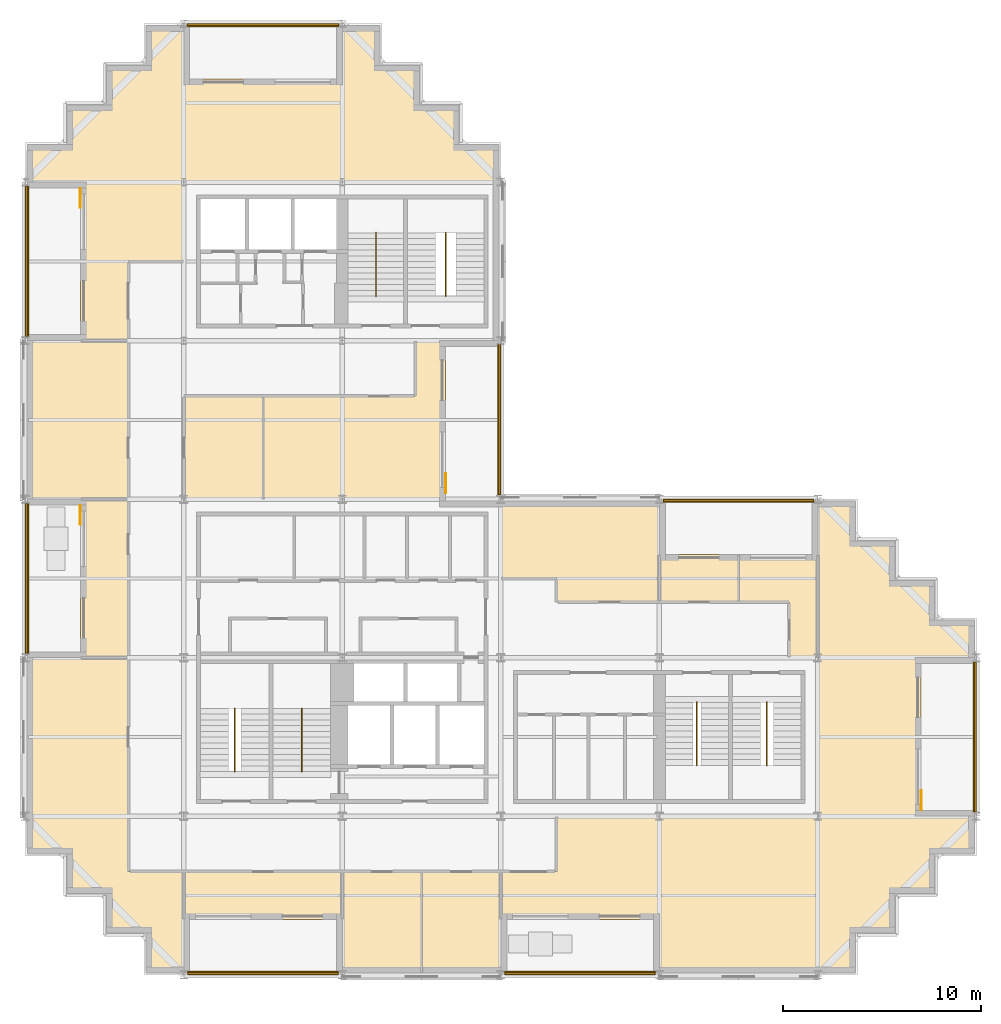
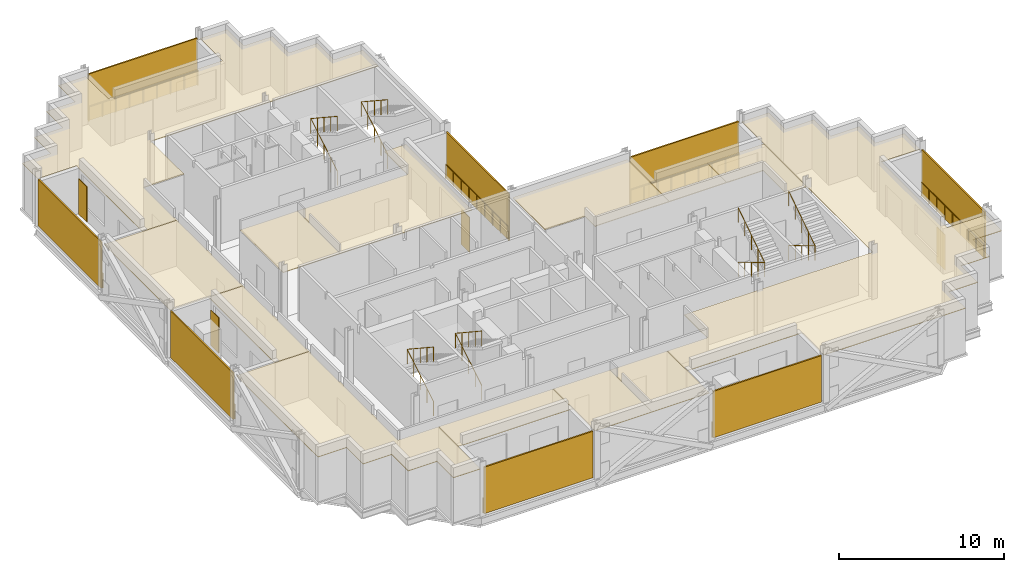
# One storey, part 10 of 11: 14 railings, 13 coverings, 12 shading devices.
"""IFC4 building model written with IfcOpenShell, lengths in metres."""

from ifc_helpers import new_model, si_unit, direction, frame, origin, origin_2d, place, context, subcontext, project, spatial, polyline, rectangle, circle, outline, extrude, material, layer, layer_set, type_object, element, save


model = new_model("IFC4")

# Units and contexts
model_context = context("Model", 3, precision=1e-05, world=origin(), true_north=direction((0.0, 1.0)))
body_context = subcontext(model_context, "Body", "Model", "MODEL_VIEW")
ifc_project = project(units=[si_unit("LENGTHUNIT", "METRE"), si_unit("AREAUNIT", "SQUARE_METRE"), si_unit("VOLUMEUNIT", "CUBIC_METRE"), si_unit("PLANEANGLEUNIT", "RADIAN"), si_unit("MASSUNIT", "GRAM", prefix="KILO")], contexts=[model_context])

# Site, building, storey
site_placement = place(None, origin())
site = spatial("IfcSite", under=ifc_project, at=site_placement, CompositionType="ELEMENT")
building_placement = place(site_placement, origin())
building = spatial("IfcBuilding", under=site, at=building_placement, Name="Immortelle Media Tower", CompositionType="ELEMENT")
storey_placement = place(building_placement, frame((0.0, 0.0, 157.800048828125)))
storey = spatial("IfcBuildingStorey", under=building, at=storey_placement, Name="L32", CompositionType="ELEMENT", Elevation=157.800048828125)

# Railings
ifc_material_1 = material(Name="Powder-coated aluminium fretwork panel, laminated glass backing", Category="aluminium")
railing_type_1 = type_object("IfcRailingType", Name="Fretwork balustrade 1100", PredefinedType="BALUSTRADE", material=ifc_material_1)
railing_1_placement = place(storey_placement, frame((8.202880859375, 0.139892578125, 0.0)))
element("IfcRailing", 1, at=railing_1_placement, inside=storey, type_object=railing_type_1, Name="Fretwork balustrade L32 S0", PredefinedType="BALUSTRADE", context=body_context, shape_type="SweptSolid", body=[
    extrude(circle(Radius=0.02490234375, at=origin_2d()), frame((0.0, 0.0, 1.0751953125), z_axis=(1.0, 0.0, 0.0), x_axis=(0.0, 1.0, 0.0)), (0.0, 0.0, 1.0), 7.591552734375),
    extrude(circle(Radius=0.02001953125, at=origin_2d()), origin(), (0.0, 0.0, 1.0), 1.050048828125),
    extrude(circle(Radius=0.02001953125, at=origin_2d()), frame((0.948974609375, 0.0, 0.0)), (0.0, 0.0, 1.0), 1.050048828125),
    extrude(circle(Radius=0.02001953125, at=origin_2d()), frame((1.89794921875, 0.0, 0.0)), (0.0, 0.0, 1.0), 1.050048828125),
    extrude(circle(Radius=0.02001953125, at=origin_2d()), frame((2.846923828125, 0.0, 0.0)), (0.0, 0.0, 1.0), 1.050048828125),
    extrude(circle(Radius=0.02001953125, at=origin_2d()), frame((3.7958984375, 0.0, 0.0)), (0.0, 0.0, 1.0), 1.050048828125),
    extrude(circle(Radius=0.02001953125, at=origin_2d()), frame((4.74462890625, 0.0, 0.0)), (0.0, 0.0, 1.0), 1.050048828125),
    extrude(circle(Radius=0.02001953125, at=origin_2d()), frame((5.693603515625, 0.0, 0.0)), (0.0, 0.0, 1.0), 1.050048828125),
    extrude(circle(Radius=0.02001953125, at=origin_2d()), frame((6.642578125, 0.0, 0.0)), (0.0, 0.0, 1.0), 1.050048828125),
    extrude(circle(Radius=0.02001953125, at=origin_2d()), frame((7.591552734375, 0.0, 0.0)), (0.0, 0.0, 1.0), 1.050048828125),
])
railing_2_placement = place(storey_placement, frame((24.20556640625, 0.139892578125, 0.0)))
element("IfcRailing", 2, at=railing_2_placement, inside=storey, type_object=railing_type_1, Name="Fretwork balustrade L32 S2", PredefinedType="BALUSTRADE", context=body_context, shape_type="SweptSolid", body=[
    extrude(circle(Radius=0.02490234375, at=origin_2d()), frame((0.0, 0.0, 1.0751953125), z_axis=(1.0, 0.0, 0.0), x_axis=(0.0, 1.0, 0.0)), (0.0, 0.0, 1.0), 7.5888671875),
    extrude(circle(Radius=0.02001953125, at=origin_2d()), origin(), (0.0, 0.0, 1.0), 1.050048828125),
    extrude(circle(Radius=0.02001953125, at=origin_2d()), frame((0.94873046875, 0.0, 0.0)), (0.0, 0.0, 1.0), 1.050048828125),
    extrude(circle(Radius=0.02001953125, at=origin_2d()), frame((1.897216796875, 0.0, 0.0)), (0.0, 0.0, 1.0), 1.050048828125),
    extrude(circle(Radius=0.02001953125, at=origin_2d()), frame((2.845703125, 0.0, 0.0)), (0.0, 0.0, 1.0), 1.050048828125),
    extrude(circle(Radius=0.02001953125, at=origin_2d()), frame((3.79443359375, 0.0, 0.0)), (0.0, 0.0, 1.0), 1.050048828125),
    extrude(circle(Radius=0.02001953125, at=origin_2d()), frame((4.7431640625, 0.0, 0.0)), (0.0, 0.0, 1.0), 1.050048828125),
    extrude(circle(Radius=0.02001953125, at=origin_2d()), frame((5.691650390625, 0.0, 0.0)), (0.0, 0.0, 1.0), 1.050048828125),
    extrude(circle(Radius=0.02001953125, at=origin_2d()), frame((6.64013671875, 0.0, 0.0)), (0.0, 0.0, 1.0), 1.050048828125),
    extrude(circle(Radius=0.02001953125, at=origin_2d()), frame((7.5888671875, 0.0, 0.0)), (0.0, 0.0, 1.0), 1.050048828125),
])
railing_3_placement = place(storey_placement, frame((47.860107421875, 8.20849609375, 0.0)))
element("IfcRailing", 3, at=railing_3_placement, inside=storey, type_object=railing_type_1, Name="Fretwork balustrade L32 E0", PredefinedType="BALUSTRADE", context=body_context, shape_type="SweptSolid", body=[
    extrude(circle(Radius=0.02490234375, at=origin_2d()), frame((0.0, 0.0, 1.0751953125), z_axis=(0.0, 1.0, 0.0), x_axis=(-1.0, 0.0, 0.0)), (0.0, 0.0, 1.0), 7.5830078125),
    extrude(circle(Radius=0.02001953125, at=origin_2d()), origin(), (0.0, 0.0, 1.0), 1.050048828125),
    extrude(circle(Radius=0.02001953125, at=origin_2d()), frame((0.0, 0.94775390625, 0.0)), (0.0, 0.0, 1.0), 1.050048828125),
    extrude(circle(Radius=0.02001953125, at=origin_2d()), frame((0.0, 1.895751953125, 0.0)), (0.0, 0.0, 1.0), 1.050048828125),
    extrude(circle(Radius=0.02001953125, at=origin_2d()), frame((0.0, 2.84375, 0.0)), (0.0, 0.0, 1.0), 1.050048828125),
    extrude(circle(Radius=0.02001953125, at=origin_2d()), frame((0.0, 3.79150390625, 0.0)), (0.0, 0.0, 1.0), 1.050048828125),
    extrude(circle(Radius=0.02001953125, at=origin_2d()), frame((0.0, 4.7392578125, 0.0)), (0.0, 0.0, 1.0), 1.050048828125),
    extrude(circle(Radius=0.02001953125, at=origin_2d()), frame((0.0, 5.687255859375, 0.0)), (0.0, 0.0, 1.0), 1.050048828125),
    extrude(circle(Radius=0.02001953125, at=origin_2d()), frame((0.0, 6.63525390625, 0.0)), (0.0, 0.0, 1.0), 1.050048828125),
    extrude(circle(Radius=0.02001953125, at=origin_2d()), frame((0.0, 7.5830078125, 0.0)), (0.0, 0.0, 1.0), 1.050048828125),
])
railing_4_placement = place(storey_placement, frame((39.797119140625, 23.860107421875, 0.0)))
element("IfcRailing", 4, at=railing_4_placement, inside=storey, type_object=railing_type_1, Name="Fretwork balustrade L32 N0", PredefinedType="BALUSTRADE", context=body_context, shape_type="SweptSolid", body=[
    extrude(circle(Radius=0.02490234375, at=origin_2d()), frame((0.0, 0.0, 1.0751953125), z_axis=(-1.0, 0.0, 0.0), x_axis=(0.0, -1.0, 0.0)), (0.0, 0.0, 1.0), 7.591552734375),
    extrude(circle(Radius=0.02001953125, at=origin_2d()), origin(), (0.0, 0.0, 1.0), 1.050048828125),
    extrude(circle(Radius=0.02001953125, at=origin_2d()), frame((-0.948974609375, 0.0, 0.0)), (0.0, 0.0, 1.0), 1.050048828125),
    extrude(circle(Radius=0.02001953125, at=origin_2d()), frame((-1.89794921875, 0.0, 0.0)), (0.0, 0.0, 1.0), 1.050048828125),
    extrude(circle(Radius=0.02001953125, at=origin_2d()), frame((-2.846923828125, 0.0, 0.0)), (0.0, 0.0, 1.0), 1.050048828125),
    extrude(circle(Radius=0.02001953125, at=origin_2d()), frame((-3.7958984375, 0.0, 0.0)), (0.0, 0.0, 1.0), 1.050048828125),
    extrude(circle(Radius=0.02001953125, at=origin_2d()), frame((-4.74462890625, 0.0, 0.0)), (0.0, 0.0, 1.0), 1.050048828125),
    extrude(circle(Radius=0.02001953125, at=origin_2d()), frame((-5.693603515625, 0.0, 0.0)), (0.0, 0.0, 1.0), 1.050048828125),
    extrude(circle(Radius=0.02001953125, at=origin_2d()), frame((-6.642578125, 0.0, 0.0)), (0.0, 0.0, 1.0), 1.050048828125),
    extrude(circle(Radius=0.02001953125, at=origin_2d()), frame((-7.591552734375, 0.0, 0.0)), (0.0, 0.0, 1.0), 1.050048828125),
])
railing_5_placement = place(storey_placement, frame((23.860107421875, 24.217041015625, 0.0)))
element("IfcRailing", 5, at=railing_5_placement, inside=storey, type_object=railing_type_1, Name="Fretwork balustrade L32 E0", PredefinedType="BALUSTRADE", context=body_context, shape_type="SweptSolid", body=[
    extrude(circle(Radius=0.02490234375, at=origin_2d()), frame((0.0, 0.0, 1.0751953125), z_axis=(0.0, 1.0, 0.0), x_axis=(-1.0, 0.0, 0.0)), (0.0, 0.0, 1.0), 7.58984375),
    extrude(circle(Radius=0.02001953125, at=origin_2d()), origin(), (0.0, 0.0, 1.0), 1.050048828125),
    extrude(circle(Radius=0.02001953125, at=origin_2d()), frame((0.0, 0.94873046875, 0.0)), (0.0, 0.0, 1.0), 1.050048828125),
    extrude(circle(Radius=0.02001953125, at=origin_2d()), frame((0.0, 1.8974609375, 0.0)), (0.0, 0.0, 1.0), 1.050048828125),
    extrude(circle(Radius=0.02001953125, at=origin_2d()), frame((0.0, 2.84619140625, 0.0)), (0.0, 0.0, 1.0), 1.050048828125),
    extrude(circle(Radius=0.02001953125, at=origin_2d()), frame((0.0, 3.794921875, 0.0)), (0.0, 0.0, 1.0), 1.050048828125),
    extrude(circle(Radius=0.02001953125, at=origin_2d()), frame((0.0, 4.74365234375, 0.0)), (0.0, 0.0, 1.0), 1.050048828125),
    extrude(circle(Radius=0.02001953125, at=origin_2d()), frame((0.0, 5.6923828125, 0.0)), (0.0, 0.0, 1.0), 1.050048828125),
    extrude(circle(Radius=0.02001953125, at=origin_2d()), frame((0.0, 6.64111328125, 0.0)), (0.0, 0.0, 1.0), 1.050048828125),
    extrude(circle(Radius=0.02001953125, at=origin_2d()), frame((0.0, 7.58984375, 0.0)), (0.0, 0.0, 1.0), 1.050048828125),
])
railing_6_placement = place(storey_placement, frame((15.8134765625, 47.860107421875, 0.0)))
element("IfcRailing", 6, at=railing_6_placement, inside=storey, type_object=railing_type_1, Name="Fretwork balustrade L32 N0", PredefinedType="BALUSTRADE", context=body_context, shape_type="SweptSolid", body=[
    extrude(circle(Radius=0.02490234375, at=origin_2d()), frame((0.0, 0.0, 1.0751953125), z_axis=(-1.0, 0.0, 0.0), x_axis=(0.0, -1.0, 0.0)), (0.0, 0.0, 1.0), 7.626953125),
    extrude(circle(Radius=0.02001953125, at=origin_2d()), origin(), (0.0, 0.0, 1.0), 1.050048828125),
    extrude(circle(Radius=0.02001953125, at=origin_2d()), frame((-0.953369140625, 0.0, 0.0)), (0.0, 0.0, 1.0), 1.050048828125),
    extrude(circle(Radius=0.02001953125, at=origin_2d()), frame((-1.90673828125, 0.0, 0.0)), (0.0, 0.0, 1.0), 1.050048828125),
    extrude(circle(Radius=0.02001953125, at=origin_2d()), frame((-2.860107421875, 0.0, 0.0)), (0.0, 0.0, 1.0), 1.050048828125),
    extrude(circle(Radius=0.02001953125, at=origin_2d()), frame((-3.8134765625, 0.0, 0.0)), (0.0, 0.0, 1.0), 1.050048828125),
    extrude(circle(Radius=0.02001953125, at=origin_2d()), frame((-4.766845703125, 0.0, 0.0)), (0.0, 0.0, 1.0), 1.050048828125),
    extrude(circle(Radius=0.02001953125, at=origin_2d()), frame((-5.72021484375, 0.0, 0.0)), (0.0, 0.0, 1.0), 1.050048828125),
    extrude(circle(Radius=0.02001953125, at=origin_2d()), frame((-6.673583984375, 0.0, 0.0)), (0.0, 0.0, 1.0), 1.050048828125),
    extrude(circle(Radius=0.02001953125, at=origin_2d()), frame((-7.626953125, 0.0, 0.0)), (0.0, 0.0, 1.0), 1.050048828125),
])
railing_7_placement = place(storey_placement, frame((0.139892578125, 39.81591796875, 0.0)))
element("IfcRailing", 7, at=railing_7_placement, inside=storey, type_object=railing_type_1, Name="Fretwork balustrade L32 W0", PredefinedType="BALUSTRADE", context=body_context, shape_type="SweptSolid", body=[
    extrude(circle(Radius=0.02490234375, at=origin_2d()), frame((0.0, 0.0, 1.0751953125), z_axis=(0.0, -1.0, 0.0), x_axis=(1.0, 0.0, 0.0)), (0.0, 0.0, 1.0), 7.622802734375),
    extrude(circle(Radius=0.02001953125, at=origin_2d()), origin(), (0.0, 0.0, 1.0), 1.050048828125),
    extrude(circle(Radius=0.02001953125, at=origin_2d()), frame((0.0, -0.952880859375, 0.0)), (0.0, 0.0, 1.0), 1.050048828125),
    extrude(circle(Radius=0.02001953125, at=origin_2d()), frame((0.0, -1.90576171875, 0.0)), (0.0, 0.0, 1.0), 1.050048828125),
    extrude(circle(Radius=0.02001953125, at=origin_2d()), frame((0.0, -2.858642578125, 0.0)), (0.0, 0.0, 1.0), 1.050048828125),
    extrude(circle(Radius=0.02001953125, at=origin_2d()), frame((0.0, -3.8115234375, 0.0)), (0.0, 0.0, 1.0), 1.050048828125),
    extrude(circle(Radius=0.02001953125, at=origin_2d()), frame((0.0, -4.76416015625, 0.0)), (0.0, 0.0, 1.0), 1.050048828125),
    extrude(circle(Radius=0.02001953125, at=origin_2d()), frame((0.0, -5.717041015625, 0.0)), (0.0, 0.0, 1.0), 1.050048828125),
    extrude(circle(Radius=0.02001953125, at=origin_2d()), frame((0.0, -6.669921875, 0.0)), (0.0, 0.0, 1.0), 1.050048828125),
    extrude(circle(Radius=0.02001953125, at=origin_2d()), frame((0.0, -7.622802734375, 0.0)), (0.0, 0.0, 1.0), 1.050048828125),
])
railing_8_placement = place(storey_placement, frame((0.139892578125, 23.806884765625, 0.0)))
element("IfcRailing", 8, at=railing_8_placement, inside=storey, type_object=railing_type_1, Name="Fretwork balustrade L32 W2", PredefinedType="BALUSTRADE", context=body_context, shape_type="SweptSolid", body=[
    extrude(circle(Radius=0.02490234375, at=origin_2d()), frame((0.0, 0.0, 1.0751953125), z_axis=(0.0, -1.0, 0.0), x_axis=(1.0, 0.0, 0.0)), (0.0, 0.0, 1.0), 7.58984375),
    extrude(circle(Radius=0.02001953125, at=origin_2d()), origin(), (0.0, 0.0, 1.0), 1.050048828125),
    extrude(circle(Radius=0.02001953125, at=origin_2d()), frame((0.0, -0.94873046875, 0.0)), (0.0, 0.0, 1.0), 1.050048828125),
    extrude(circle(Radius=0.02001953125, at=origin_2d()), frame((0.0, -1.8974609375, 0.0)), (0.0, 0.0, 1.0), 1.050048828125),
    extrude(circle(Radius=0.02001953125, at=origin_2d()), frame((0.0, -2.84619140625, 0.0)), (0.0, 0.0, 1.0), 1.050048828125),
    extrude(circle(Radius=0.02001953125, at=origin_2d()), frame((0.0, -3.794921875, 0.0)), (0.0, 0.0, 1.0), 1.050048828125),
    extrude(circle(Radius=0.02001953125, at=origin_2d()), frame((0.0, -4.74365234375, 0.0)), (0.0, 0.0, 1.0), 1.050048828125),
    extrude(circle(Radius=0.02001953125, at=origin_2d()), frame((0.0, -5.6923828125, 0.0)), (0.0, 0.0, 1.0), 1.050048828125),
    extrude(circle(Radius=0.02001953125, at=origin_2d()), frame((0.0, -6.64111328125, 0.0)), (0.0, 0.0, 1.0), 1.050048828125),
    extrude(circle(Radius=0.02001953125, at=origin_2d()), frame((0.0, -7.58984375, 0.0)), (0.0, 0.0, 1.0), 1.050048828125),
])

# Shading devices
ifc_material_2 = material(Name="Pale aluminium louvre blades", Category="aluminium")
ifc_layer_1 = layer(ifc_material_2, 0.10009765625)
ifc_layer_set_1 = layer_set([ifc_layer_1], Name="Pale aluminium louvre blades")
shading_device_type_1 = type_object("IfcShadingDeviceType", Name="Jalousie screen 100", PredefinedType="JALOUSIE", material=ifc_layer_set_1)
shading_device_1_placement = place(storey_placement, frame((11.998779296875, 0.050048828125, 0.0), z_axis=(0.0, 0.0, 1.0), x_axis=(1.0, 0.0, 0.0)))
element("IfcShadingDevice", 9, at=shading_device_1_placement, inside=storey, type_object=shading_device_type_1, Name="Jalousie screen L32 S0", PredefinedType="JALOUSIE", context=body_context, shape_type="SweptSolid", body=[
    extrude(rectangle(XDim=7.591552734375, YDim=0.10009765625, at=origin_2d()), origin(), (0.0, 0.0, 1.0), 3.43798828125),
])
shading_device_2_placement = place(storey_placement, frame((28.0, 0.050048828125, 0.0), z_axis=(0.0, 0.0, 1.0), x_axis=(1.0, 0.0, 0.0)))
element("IfcShadingDevice", 10, at=shading_device_2_placement, inside=storey, type_object=shading_device_type_1, Name="Jalousie screen L32 S2", PredefinedType="JALOUSIE", context=body_context, shape_type="SweptSolid", body=[
    extrude(rectangle(XDim=7.589111328125, YDim=0.10009765625, at=origin_2d()), origin(), (0.0, 0.0, 1.0), 3.43798828125),
])
shading_device_3_placement = place(storey_placement, frame((47.949951171875, 12.0, 0.0), z_axis=(0.0, 0.0, 1.0), x_axis=(0.0, 1.0, 0.0)))
element("IfcShadingDevice", 11, at=shading_device_3_placement, inside=storey, type_object=shading_device_type_1, Name="Jalousie screen L32 E0", PredefinedType="JALOUSIE", context=body_context, shape_type="SweptSolid", body=[
    extrude(rectangle(XDim=7.5830078125, YDim=0.10009765625, at=origin_2d()), origin(), (0.0, 0.0, 1.0), 3.43798828125),
])
shading_device_4_placement = place(storey_placement, frame((36.001220703125, 23.949951171875, 0.0), z_axis=(0.0, 0.0, 1.0), x_axis=(-1.0, 0.0, 0.0)))
element("IfcShadingDevice", 12, at=shading_device_4_placement, inside=storey, type_object=shading_device_type_1, Name="Jalousie screen L32 N0", PredefinedType="JALOUSIE", context=body_context, shape_type="SweptSolid", body=[
    extrude(rectangle(XDim=7.591552734375, YDim=0.10009765625, at=origin_2d()), origin(), (0.0, 0.0, 1.0), 3.43798828125),
])
shading_device_5_placement = place(storey_placement, frame((23.949951171875, 28.011962890625, 0.0), z_axis=(0.0, 0.0, 1.0), x_axis=(0.0, 1.0, 0.0)))
element("IfcShadingDevice", 13, at=shading_device_5_placement, inside=storey, type_object=shading_device_type_1, Name="Jalousie screen L32 E0", PredefinedType="JALOUSIE", context=body_context, shape_type="SweptSolid", body=[
    extrude(rectangle(XDim=7.590087890625, YDim=0.10009765625, at=origin_2d()), origin(), (0.0, 0.0, 1.0), 3.43798828125),
])
shading_device_6_placement = place(storey_placement, frame((12.0, 47.949951171875, 0.0), z_axis=(0.0, 0.0, 1.0), x_axis=(-1.0, 0.0, 0.0)))
element("IfcShadingDevice", 14, at=shading_device_6_placement, inside=storey, type_object=shading_device_type_1, Name="Jalousie screen L32 N0", PredefinedType="JALOUSIE", context=body_context, shape_type="SweptSolid", body=[
    extrude(rectangle(XDim=7.626953125, YDim=0.10009765625, at=origin_2d()), origin(), (0.0, 0.0, 1.0), 3.43798828125),
])
shading_device_7_placement = place(storey_placement, frame((0.050048828125, 36.00439453125, 0.0), z_axis=(0.0, 0.0, 1.0), x_axis=(0.0, -1.0, 0.0)))
element("IfcShadingDevice", 15, at=shading_device_7_placement, inside=storey, type_object=shading_device_type_1, Name="Jalousie screen L32 W0", PredefinedType="JALOUSIE", context=body_context, shape_type="SweptSolid", body=[
    extrude(rectangle(XDim=7.623046875, YDim=0.10009765625, at=origin_2d()), origin(), (0.0, 0.0, 1.0), 3.43798828125),
])
shading_device_8_placement = place(storey_placement, frame((0.050048828125, 20.011962890625, 0.0), z_axis=(0.0, 0.0, 1.0), x_axis=(0.0, -1.0, 0.0)))
element("IfcShadingDevice", 16, at=shading_device_8_placement, inside=storey, type_object=shading_device_type_1, Name="Jalousie screen L32 W2", PredefinedType="JALOUSIE", context=body_context, shape_type="SweptSolid", body=[
    extrude(rectangle(XDim=7.590087890625, YDim=0.10009765625, at=origin_2d()), origin(), (0.0, 0.0, 1.0), 3.43798828125),
])
ifc_material_3 = material(Name="Pale aluminium louvre blades in a folding frame", Category="aluminium")
ifc_layer_2 = layer(ifc_material_3, 0.050048828125)
ifc_layer_set_2 = layer_set([ifc_layer_2], Name="Pale aluminium louvre blades in a folding frame")
shading_device_type_2 = type_object("IfcShadingDeviceType", Name="Louvred loggia shutter", PredefinedType="SHUTTER", material=ifc_layer_set_2)
for number, where, z_axis, x_axis, name in (
    (17, (45.22509765625, 8.800048828125, 0.0), (0.0, 0.0, 1.0), (0.0, 1.0, 0.0), "Loggia shutter L32 E0"),
    (18, (21.22509765625, 24.800048828125, 0.0), (0.0, 0.0, 1.0), (0.0, 1.0, 0.0), "Loggia shutter L32 E0"),
    (19, (2.77490234375, 39.199951171875, 0.0), (0.0, 0.0, 1.0), (0.0, -1.0, 0.0), "Loggia shutter L32 W0"),
    (20, (2.77490234375, 23.199951171875, 0.0), (0.0, 0.0, 1.0), (0.0, -1.0, 0.0), "Loggia shutter L32 W2"),
):
    element("IfcShadingDevice", number, at=place(storey_placement, frame(where, z_axis=z_axis, x_axis=x_axis)), inside=storey, type_object=shading_device_type_2, Name=name, PredefinedType="SHUTTER", context=body_context, shape_type="SweptSolid", body=[
        extrude(rectangle(XDim=1.0, YDim=0.050048828125, at=origin_2d()), origin(), (0.0, 0.0, 1.0), 2.60009765625),
    ])

# Railings
ifc_material_4 = material(Name="Stainless steel AISI 316", Category="steel")
railing_type_2 = type_object("IfcRailingType", Name="Stair guard 1100", PredefinedType="GUARDRAIL", material=ifc_material_4)
for number, where, name in (
    (21, (10.574951171875, 10.25, 0.175048828125), "Stair guard SW1"),
    (22, (13.949951171875, 10.25, 0.175048828125), "Stair guard SW2"),
):
    element("IfcRailing", number, at=place(storey_placement, frame(where)), inside=storey, type_object=railing_type_2, Name=name, PredefinedType="GUARDRAIL", context=body_context, shape_type="SweptSolid", body=[
        extrude(circle(Radius=0.02392578125, at=origin_2d()), frame((0.0, 0.0, 1.076171875), z_axis=(0.0, 0.856206652436, 0.516633495163), x_axis=(-1.0, 0.0, 0.0)), (0.0, 0.0, 1.0), 3.7255859375),
        extrude(circle(Radius=0.02392578125, at=origin_2d()), frame((0.0, 3.18994140625, 3.0009765625), z_axis=(0.0, -0.835242474824, 0.549881812983), x_axis=(1.0, 0.0, 0.0)), (0.0, 0.0, 1.0), 3.819091796875),
        extrude(circle(Radius=0.02099609375, at=origin_2d()), origin(), (0.0, 0.0, 1.0), 1.052001953125),
        extrude(circle(Radius=0.02099609375, at=origin_2d()), frame((0.0, 0.79736328125, 0.481201171875)), (0.0, 0.0, 1.0), 1.052001953125),
        extrude(circle(Radius=0.02099609375, at=origin_2d()), frame((0.0, 1.594970703125, 0.96240234375)), (0.0, 0.0, 1.0), 1.052001953125),
        extrude(circle(Radius=0.02099609375, at=origin_2d()), frame((0.0, 2.392578125, 1.443603515625)), (0.0, 0.0, 1.0), 1.052001953125),
        extrude(circle(Radius=0.02099609375, at=origin_2d()), frame((0.0, 3.18994140625, 1.9248046875)), (0.0, 0.0, 1.0), 1.052001953125),
        extrude(circle(Radius=0.02099609375, at=origin_2d()), frame((0.0, 2.392578125, 2.44970703125)), (0.0, 0.0, 1.0), 1.052001953125),
        extrude(circle(Radius=0.02099609375, at=origin_2d()), frame((0.0, 1.594970703125, 2.974853515625)), (0.0, 0.0, 1.0), 1.052001953125),
        extrude(circle(Radius=0.02099609375, at=origin_2d()), frame((0.0, 0.79736328125, 3.5)), (0.0, 0.0, 1.0), 1.052001953125),
        extrude(circle(Radius=0.02099609375, at=origin_2d()), frame((0.0, 0.0, 4.02490234375)), (0.0, 0.0, 1.0), 1.052001953125),
    ])
for number, where, name in (
    (23, (33.89990234375, 13.75, 0.175048828125), "Stair guard SE1"),
    (24, (37.425048828125, 13.75, 0.175048828125), "Stair guard SE2"),
):
    element("IfcRailing", number, at=place(storey_placement, frame(where)), inside=storey, type_object=railing_type_2, Name=name, PredefinedType="GUARDRAIL", context=body_context, shape_type="SweptSolid", body=[
        extrude(circle(Radius=0.02392578125, at=origin_2d()), frame((0.0, 0.0, 1.076171875), z_axis=(0.0, -0.856206652436, 0.516633495163), x_axis=(1.0, 0.0, 0.0)), (0.0, 0.0, 1.0), 3.7255859375),
        extrude(circle(Radius=0.02392578125, at=origin_2d()), frame((0.0, -3.18994140625, 3.0009765625), z_axis=(0.0, 0.835242474824, 0.549881812983), x_axis=(-1.0, 0.0, 0.0)), (0.0, 0.0, 1.0), 3.819091796875),
        extrude(circle(Radius=0.02099609375, at=origin_2d()), origin(), (0.0, 0.0, 1.0), 1.052001953125),
        extrude(circle(Radius=0.02099609375, at=origin_2d()), frame((0.0, -0.79736328125, 0.481201171875)), (0.0, 0.0, 1.0), 1.052001953125),
        extrude(circle(Radius=0.02099609375, at=origin_2d()), frame((0.0, -1.594970703125, 0.96240234375)), (0.0, 0.0, 1.0), 1.052001953125),
        extrude(circle(Radius=0.02099609375, at=origin_2d()), frame((0.0, -2.392578125, 1.443603515625)), (0.0, 0.0, 1.0), 1.052001953125),
        extrude(circle(Radius=0.02099609375, at=origin_2d()), frame((0.0, -3.18994140625, 1.9248046875)), (0.0, 0.0, 1.0), 1.052001953125),
        extrude(circle(Radius=0.02099609375, at=origin_2d()), frame((0.0, -2.392578125, 2.44970703125)), (0.0, 0.0, 1.0), 1.052001953125),
        extrude(circle(Radius=0.02099609375, at=origin_2d()), frame((0.0, -1.594970703125, 2.974853515625)), (0.0, 0.0, 1.0), 1.052001953125),
        extrude(circle(Radius=0.02099609375, at=origin_2d()), frame((0.0, -0.79736328125, 3.5)), (0.0, 0.0, 1.0), 1.052001953125),
        extrude(circle(Radius=0.02099609375, at=origin_2d()), frame((0.0, 0.0, 4.02490234375)), (0.0, 0.0, 1.0), 1.052001953125),
    ])
for number, where, name in (
    (25, (17.699951171875, 34.25, 0.175048828125), "Stair guard NW1"),
    (26, (21.22509765625, 34.25, 0.175048828125), "Stair guard NW2"),
):
    element("IfcRailing", number, at=place(storey_placement, frame(where)), inside=storey, type_object=railing_type_2, Name=name, PredefinedType="GUARDRAIL", context=body_context, shape_type="SweptSolid", body=[
        extrude(circle(Radius=0.02392578125, at=origin_2d()), frame((0.0, 0.0, 1.076171875), z_axis=(0.0, 0.856206652436, 0.516633495163), x_axis=(-1.0, 0.0, 0.0)), (0.0, 0.0, 1.0), 3.7255859375),
        extrude(circle(Radius=0.02392578125, at=origin_2d()), frame((0.0, 3.18994140625, 3.0009765625), z_axis=(0.0, -0.835242474824, 0.549881812983), x_axis=(1.0, 0.0, 0.0)), (0.0, 0.0, 1.0), 3.819091796875),
        extrude(circle(Radius=0.02099609375, at=origin_2d()), origin(), (0.0, 0.0, 1.0), 1.052001953125),
        extrude(circle(Radius=0.02099609375, at=origin_2d()), frame((0.0, 0.79736328125, 0.481201171875)), (0.0, 0.0, 1.0), 1.052001953125),
        extrude(circle(Radius=0.02099609375, at=origin_2d()), frame((0.0, 1.594970703125, 0.96240234375)), (0.0, 0.0, 1.0), 1.052001953125),
        extrude(circle(Radius=0.02099609375, at=origin_2d()), frame((0.0, 2.392578125, 1.443603515625)), (0.0, 0.0, 1.0), 1.052001953125),
        extrude(circle(Radius=0.02099609375, at=origin_2d()), frame((0.0, 3.18994140625, 1.9248046875)), (0.0, 0.0, 1.0), 1.052001953125),
        extrude(circle(Radius=0.02099609375, at=origin_2d()), frame((0.0, 2.392578125, 2.44970703125)), (0.0, 0.0, 1.0), 1.052001953125),
        extrude(circle(Radius=0.02099609375, at=origin_2d()), frame((0.0, 1.594970703125, 2.974853515625)), (0.0, 0.0, 1.0), 1.052001953125),
        extrude(circle(Radius=0.02099609375, at=origin_2d()), frame((0.0, 0.79736328125, 3.5)), (0.0, 0.0, 1.0), 1.052001953125),
        extrude(circle(Radius=0.02099609375, at=origin_2d()), frame((0.0, 0.0, 4.02490234375)), (0.0, 0.0, 1.0), 1.052001953125),
    ])

# Coverings
ifc_material_5 = material(Name="Mineral fibre tile ceiling")
ifc_layer_3 = layer(ifc_material_5, 0.050048828125)
ifc_layer_set_3 = layer_set([ifc_layer_3], Name="Mineral fibre tile ceiling")
covering_type = type_object("IfcCoveringType", Name="Suspended ceiling 50", PredefinedType="CEILING", material=ifc_layer_set_3)
covering_1_placement = place(storey_placement, frame((0.0, 0.0, 3.303955078125)))
element("IfcCovering", 27, at=covering_1_placement, inside=storey, type_object=covering_type, Name="Ceiling L32-001", PredefinedType="CEILING", context=body_context, shape_type="SweptSolid", body=[
    extrude(outline(polyline([(16.0, 2.800048828125), (16.0, 5.199951171875), (20.0, 5.199951171875), (20.0, 0.10009765625), (16.0, 0.10009765625), (16.0, 2.800048828125)])), origin(), (0.0, 0.0, 1.0), 0.050048828125),
])
covering_2_placement = place(storey_placement, frame((0.0, 0.0, 3.303955078125)))
element("IfcCovering", 28, at=covering_2_placement, inside=storey, type_object=covering_type, Name="Ceiling L32-002", PredefinedType="CEILING", context=body_context, shape_type="SweptSolid", body=[
    extrude(outline(polyline([(24.0, 5.199951171875), (24.0, 2.800048828125), (24.0, 0.10009765625), (20.0, 0.10009765625), (20.0, 5.199951171875), (24.0, 5.199951171875)])), origin(), (0.0, 0.0, 1.0), 0.050048828125),
])
covering_3_placement = place(storey_placement, frame((0.0, 0.0, 3.303955078125)))
element("IfcCovering", 29, at=covering_3_placement, inside=storey, type_object=covering_type, Name="Ceiling L32-003", PredefinedType="CEILING", context=body_context, shape_type="SweptSolid", body=[
    extrude(outline(polyline([(8.0, 2.800048828125), (8.0, 5.199951171875), (16.0, 5.199951171875), (16.0, 2.800048828125), (8.0, 2.800048828125)])), origin(), (0.0, 0.0, 1.0), 0.050048828125),
])
covering_4_placement = place(storey_placement, frame((0.0, 0.0, 3.303955078125)))
element("IfcCovering", 30, at=covering_4_placement, inside=storey, type_object=covering_type, Name="Ceiling L32-004", PredefinedType="CEILING", context=body_context, shape_type="SweptSolid", body=[
    extrude(outline(polyline([(26.800048828125, 5.199951171875), (26.800048828125, 8.0), (32.0, 8.0), (40.0, 8.0), (40.0, 16.0), (40.0, 21.199951171875), (40.0, 23.89990234375), (41.89990234375, 23.89990234375), (41.89990234375, 21.89990234375), (43.89990234375, 21.89990234375), (43.89990234375, 19.89990234375), (45.89990234375, 19.89990234375), (45.89990234375, 17.89990234375), (47.89990234375, 17.89990234375), (47.89990234375, 16.0), (45.199951171875, 16.0), (45.199951171875, 8.0), (47.89990234375, 8.0), (47.89990234375, 6.10009765625), (45.89990234375, 6.10009765625), (45.89990234375, 4.10009765625), (43.89990234375, 4.10009765625), (43.89990234375, 2.10009765625), (41.89990234375, 2.10009765625), (41.89990234375, 0.10009765625), (40.0, 0.10009765625), (32.0, 0.10009765625), (32.0, 2.800048828125), (24.0, 2.800048828125), (24.0, 5.199951171875), (26.800048828125, 5.199951171875)])), origin(), (0.0, 0.0, 1.0), 0.050048828125),
])
covering_5_placement = place(storey_placement, frame((0.0, 0.0, 3.303955078125)))
element("IfcCovering", 31, at=covering_5_placement, inside=storey, type_object=covering_type, Name="Ceiling L32-005", PredefinedType="CEILING", context=body_context, shape_type="SweptSolid", body=[
    extrude(outline(polyline([(6.10009765625, 2.10009765625), (4.10009765625, 2.10009765625), (4.10009765625, 4.10009765625), (2.10009765625, 4.10009765625), (2.10009765625, 6.10009765625), (0.10009765625, 6.10009765625), (0.10009765625, 8.0), (0.10009765625, 16.0), (2.800048828125, 16.0), (5.199951171875, 16.0), (5.199951171875, 8.0), (5.199951171875, 5.199951171875), (8.0, 5.199951171875), (8.0, 2.800048828125), (8.0, 0.10009765625), (6.10009765625, 0.10009765625), (6.10009765625, 2.10009765625)])), origin(), (0.0, 0.0, 1.0), 0.050048828125),
])
covering_6_placement = place(storey_placement, frame((0.0, 0.0, 3.303955078125)))
element("IfcCovering", 32, at=covering_6_placement, inside=storey, type_object=covering_type, Name="Ceiling L32-006", PredefinedType="CEILING", context=body_context, shape_type="SweptSolid", body=[
    extrude(outline(polyline([(32.0, 18.800048828125), (32.0, 21.199951171875), (36.0, 21.199951171875), (36.0, 18.800048828125), (32.0, 18.800048828125)])), origin(), (0.0, 0.0, 1.0), 0.050048828125),
])
covering_7_placement = place(storey_placement, frame((0.0, 0.0, 3.303955078125)))
element("IfcCovering", 33, at=covering_7_placement, inside=storey, type_object=covering_type, Name="Ceiling L32-007", PredefinedType="CEILING", context=body_context, shape_type="SweptSolid", body=[
    extrude(outline(polyline([(38.550048828125, 18.800048828125), (36.0, 18.800048828125), (36.0, 21.199951171875), (40.0, 21.199951171875), (40.0, 16.0), (38.550048828125, 16.0), (38.550048828125, 18.800048828125)])), origin(), (0.0, 0.0, 1.0), 0.050048828125),
])
covering_8_placement = place(storey_placement, frame((0.0, 0.0, 3.303955078125)))
element("IfcCovering", 34, at=covering_8_placement, inside=storey, type_object=covering_type, Name="Ceiling L32-008", PredefinedType="CEILING", context=body_context, shape_type="SweptSolid", body=[
    extrude(outline(polyline([(5.199951171875, 19.449951171875), (5.199951171875, 16.0), (2.800048828125, 16.0), (2.800048828125, 24.0), (5.199951171875, 24.0), (5.199951171875, 19.449951171875)])), origin(), (0.0, 0.0, 1.0), 0.050048828125),
])
covering_9_placement = place(storey_placement, frame((0.0, 0.0, 3.303955078125)))
element("IfcCovering", 35, at=covering_9_placement, inside=storey, type_object=covering_type, Name="Ceiling L32-009", PredefinedType="CEILING", context=body_context, shape_type="SweptSolid", body=[
    extrude(outline(polyline([(27.0, 18.800048828125), (26.800048828125, 18.800048828125), (26.800048828125, 20.0), (24.0, 20.0), (24.0, 23.89990234375), (32.0, 23.89990234375), (32.0, 21.199951171875), (32.0, 18.800048828125), (27.0, 18.800048828125)])), origin(), (0.0, 0.0, 1.0), 0.050048828125),
])
covering_10_placement = place(storey_placement, frame((0.0, 0.0, 3.303955078125)))
element("IfcCovering", 36, at=covering_10_placement, inside=storey, type_object=covering_type, Name="Ceiling L32-010", PredefinedType="CEILING", context=body_context, shape_type="SweptSolid", body=[
    extrude(outline(polyline([(12.0, 29.199951171875), (12.0, 24.0), (8.0, 24.0), (8.0, 29.199951171875), (12.0, 29.199951171875)])), origin(), (0.0, 0.0, 1.0), 0.050048828125),
])
covering_11_placement = place(storey_placement, frame((0.0, 0.0, 3.303955078125)))
element("IfcCovering", 37, at=covering_11_placement, inside=storey, type_object=covering_type, Name="Ceiling L32-011", PredefinedType="CEILING", context=body_context, shape_type="SweptSolid", body=[
    extrude(outline(polyline([(12.199951171875, 29.199951171875), (12.39990234375, 29.199951171875), (16.0, 29.199951171875), (19.699951171875, 29.199951171875), (19.699951171875, 32.0), (21.199951171875, 32.0), (21.199951171875, 24.0), (16.0, 24.0), (12.0, 24.0), (12.0, 29.199951171875), (12.199951171875, 29.199951171875)])), origin(), (0.0, 0.0, 1.0), 0.050048828125),
])
covering_12_placement = place(storey_placement, frame((0.0, 0.0, 3.303955078125)))
element("IfcCovering", 38, at=covering_12_placement, inside=storey, type_object=covering_type, Name="Ceiling L32-012", PredefinedType="CEILING", context=body_context, shape_type="SweptSolid", body=[
    extrude(outline(polyline([(5.199951171875, 29.199951171875), (5.199951171875, 24.0), (2.800048828125, 24.0), (0.10009765625, 24.0), (0.10009765625, 32.0), (2.800048828125, 32.0), (5.199951171875, 32.0), (5.199951171875, 29.199951171875)])), origin(), (0.0, 0.0, 1.0), 0.050048828125),
])
covering_13_placement = place(storey_placement, frame((0.0, 0.0, 3.303955078125)))
element("IfcCovering", 39, at=covering_13_placement, inside=storey, type_object=covering_type, Name="Ceiling L32-013", PredefinedType="CEILING", context=body_context, shape_type="SweptSolid", body=[
    extrude(outline(polyline([(2.800048828125, 40.0), (0.10009765625, 40.0), (0.10009765625, 41.89990234375), (2.10009765625, 41.89990234375), (2.10009765625, 43.89990234375), (4.10009765625, 43.89990234375), (4.10009765625, 45.89990234375), (6.10009765625, 45.89990234375), (6.10009765625, 47.89990234375), (8.0, 47.89990234375), (8.0, 45.199951171875), (16.0, 45.199951171875), (16.0, 47.89990234375), (17.89990234375, 47.89990234375), (17.89990234375, 45.89990234375), (19.89990234375, 45.89990234375), (19.89990234375, 43.89990234375), (21.89990234375, 43.89990234375), (21.89990234375, 41.89990234375), (23.89990234375, 41.89990234375), (23.89990234375, 40.0), (16.0, 40.0), (8.0, 40.0), (8.0, 36.0), (5.199951171875, 36.0), (5.199951171875, 32.0), (2.800048828125, 32.0), (2.800048828125, 40.0)])), origin(), (0.0, 0.0, 1.0), 0.050048828125),
])

save(model, "model.ifc")
